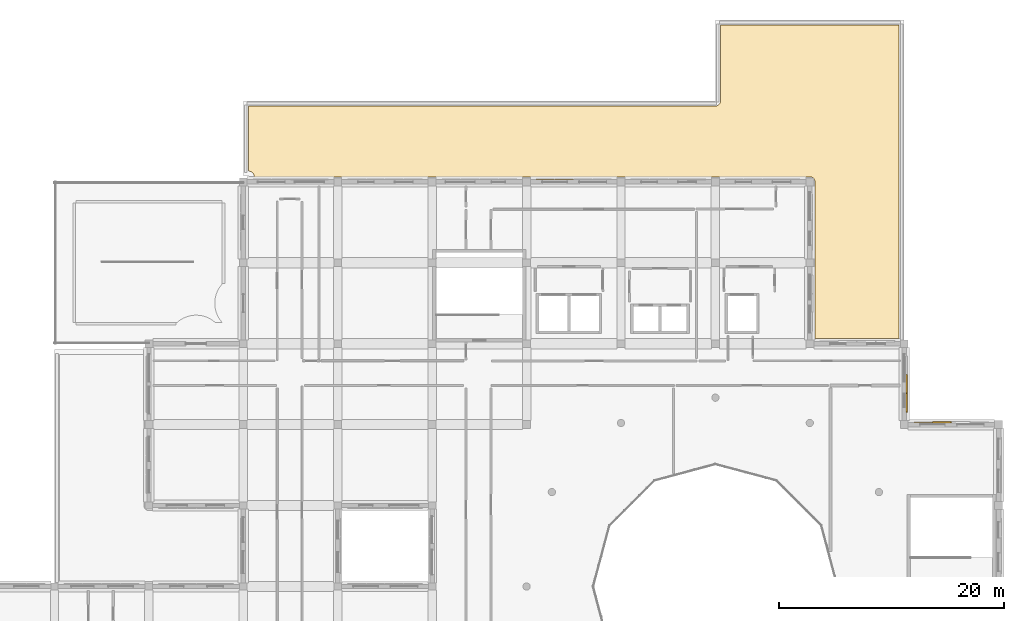
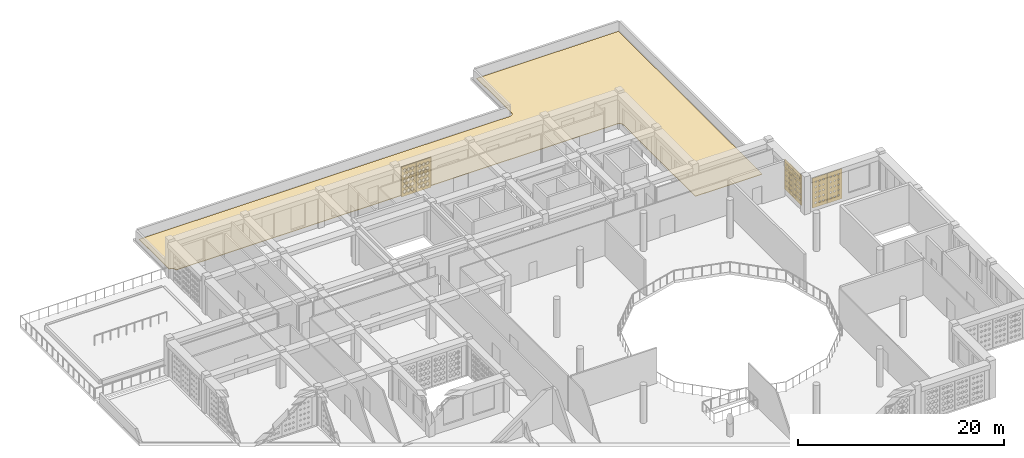
# One storey, part 43 of 47: 7 coverings.
"""IFC4 building model written with IfcOpenShell, lengths in metres."""

from ifc_helpers import new_model, si_unit, derived_unit, direction, frame, origin, place, context, subcontext, project, spatial, polyline, outline, extrude, material, layer, layer_set, type_object, element, save


model = new_model("IFC4")

# Units and contexts
model_context = context("Model", 3, precision=1e-05, world=origin(), true_north=direction((0.0, 1.0)))
body_context = subcontext(model_context, "Body", "Model", "MODEL_VIEW")
ifc_project = project(units=[si_unit("LENGTHUNIT", "METRE"), si_unit("AREAUNIT", "SQUARE_METRE"), si_unit("VOLUMEUNIT", "CUBIC_METRE"), si_unit("PLANEANGLEUNIT", "RADIAN"), si_unit("MASSUNIT", "GRAM", prefix="KILO"), derived_unit("THERMALTRANSMITTANCEUNIT", [(si_unit("POWERUNIT", "WATT"), 1), (si_unit("LENGTHUNIT", "METRE"), -2), (si_unit("THERMODYNAMICTEMPERATUREUNIT", "KELVIN"), -1)])], contexts=[model_context])

# Site, building, storey
site_placement = place(None, origin())
site = spatial("IfcSite", under=ifc_project, at=site_placement, CompositionType="ELEMENT")
building_placement = place(site_placement, origin())
building = spatial("IfcBuilding", under=site, at=building_placement, Name="Veybourne Emporium", CompositionType="ELEMENT")
storey_placement = place(building_placement, frame((0.0, 0.0, 23.39990234375)))
storey = spatial("IfcBuildingStorey", under=building, at=storey_placement, Name="L05", CompositionType="ELEMENT", Elevation=23.39990234375)

# Coverings
ifc_material_1 = material(Name="Single-Ply Warm Roof Membrane", Category="membrane")
ifc_layer_1 = layer(ifc_material_1, 0.06005859375)
ifc_layer_set_1 = layer_set([ifc_layer_1], Name="Single-Ply Warm Roof Membrane")
covering_type_1 = type_object("IfcCoveringType", Name="Roofing_RFG-01", PredefinedType="ROOFING", material=ifc_layer_set_1)
covering_1_placement = place(storey_placement, origin())
element("IfcCovering", 1, at=covering_1_placement, inside=storey, type_object=covering_type_1, Name="L05 warm-roof waterproofing membrane 2.1", PredefinedType="ROOFING", context=body_context, shape_type="SweptSolid", body=[
    extrude(outline(polyline([(75.60009765625, 93.14990234375), (75.64404296875, 93.152099609375), (75.687744140625, 93.15869140625), (75.730712890625, 93.16943359375), (75.772216796875, 93.184326171875), (75.81201171875, 93.203125), (75.85009765625, 93.225830078125), (75.885498046875, 93.252197265625), (75.918212890625, 93.28173828125), (75.94775390625, 93.314453125), (75.97412109375, 93.35009765625), (75.996826171875, 93.387939453125), (76.015869140625, 93.427734375), (76.030517578125, 93.469482421875), (76.041259765625, 93.51220703125), (76.0478515625, 93.555908203125), (76.050048828125, 93.60009765625), (76.050048828125, 100.35009765625), (91.949951171875, 100.35009765625), (91.949951171875, 72.449951171875), (84.449951171875, 72.449951171875), (84.449951171875, 86.39990234375), (84.44775390625, 86.444091796875), (84.44140625, 86.48779296875), (84.4306640625, 86.530517578125), (84.415771484375, 86.572265625), (84.39697265625, 86.612060546875), (84.374267578125, 86.64990234375), (84.347900390625, 86.685546875), (84.318115234375, 86.71826171875), (84.285400390625, 86.747802734375), (84.25, 86.774169921875), (84.212158203125, 86.796875), (84.172119140625, 86.815673828125), (84.130615234375, 86.83056640625), (84.087890625, 86.84130859375), (84.044189453125, 86.847900390625), (84.0, 86.85009765625), (34.550048828125, 86.85009765625), (34.550048828125, 86.89990234375), (34.5478515625, 86.944091796875), (34.541259765625, 86.98779296875), (34.530517578125, 87.030517578125), (34.515869140625, 87.072265625), (34.496826171875, 87.112060546875), (34.47412109375, 87.14990234375), (34.44775390625, 87.185546875), (34.418212890625, 87.21826171875), (34.385498046875, 87.247802734375), (34.35009765625, 87.274169921875), (34.31201171875, 87.296875), (34.272216796875, 87.315673828125), (34.230712890625, 87.33056640625), (34.187744140625, 87.34130859375), (34.14404296875, 87.347900390625), (34.10009765625, 87.35009765625), (34.050048828125, 87.35009765625), (34.050048828125, 93.14990234375), (75.60009765625, 93.14990234375)])), origin(), (0.0, 0.0, 1.0), 0.06005859375),
])
ifc_material_2 = material(Name="Warm-White Perforated Aluminium Screen Alloy", Category="aluminium")
ifc_layer_2 = layer(ifc_material_2, 0.06005859375)
ifc_layer_set_2 = layer_set([ifc_layer_2], Name="Warm-White Perforated Aluminium Screen Alloy")
covering_type_2 = type_object("IfcCoveringType", Name="WaveScreen_SCR-01", PredefinedType="CLADDING", material=ifc_layer_set_2)
covering_2_placement = place(storey_placement, frame((92.64794921875, 68.39990234375, 1.830078125), z_axis=(-1.0, 0.0, 0.0), x_axis=(0.0, -1.0, 0.0)))
element("IfcCovering", 2, at=covering_2_placement, inside=storey, type_object=covering_type_2, Name="L05 wave-perforated aluminium screen SCR-01 (49.2)", PredefinedType="CLADDING", context=body_context, shape_type="SweptSolid", body=[
    extrude(outline(polyline([(-0.81982421875, -1.77001953125), (0.81982421875, -1.77001953125), (0.81982421875, 1.77001953125), (-0.81982421875, 1.77001953125), (-0.81982421875, -1.77001953125)]), holes=[polyline([(-0.433349609375, -1.125), (-0.3291015625, -1.198486328125), (-0.3291015625, -1.281494140625), (-0.433349609375, -1.35498046875), (-0.537353515625, -1.281494140625), (-0.537353515625, -1.198486328125), (-0.433349609375, -1.125)]), polyline([(-0.433349609375, -0.5087890625), (-0.332275390625, -0.579833984375), (-0.332275390625, -0.66015625), (-0.433349609375, -0.731201171875), (-0.534423828125, -0.66015625), (-0.534423828125, -0.579833984375), (-0.433349609375, -0.5087890625)]), polyline([(-0.433349609375, 0.110107421875), (-0.333251953125, 0.03955078125), (-0.333251953125, -0.03955078125), (-0.433349609375, -0.110107421875), (-0.533203125, -0.03955078125), (-0.533203125, 0.03955078125), (-0.433349609375, 0.110107421875)]), polyline([(-0.433349609375, 0.731201171875), (-0.332275390625, 0.659912109375), (-0.332275390625, 0.580078125), (-0.433349609375, 0.5087890625), (-0.5341796875, 0.580078125), (-0.5341796875, 0.659912109375), (-0.433349609375, 0.731201171875)]), polyline([(-0.433349609375, 1.354736328125), (-0.329345703125, 1.28125), (-0.329345703125, 1.19873046875), (-0.433349609375, 1.125244140625), (-0.537353515625, 1.19873046875), (-0.537353515625, 1.28125), (-0.433349609375, 1.354736328125)]), polyline([(0.0, -1.12255859375), (0.106201171875, -1.19775390625), (0.106201171875, -1.2822265625), (0.0, -1.357421875), (-0.106201171875, -1.2822265625), (-0.106201171875, -1.19775390625), (0.0, -1.12255859375)]), polyline([(0.0, -0.50732421875), (0.102294921875, -0.579345703125), (0.102294921875, -0.66064453125), (0.0, -0.732666015625), (-0.102294921875, -0.66064453125), (-0.102294921875, -0.579345703125), (0.0, -0.50732421875)]), polyline([(0.0, 0.1103515625), (0.10009765625, 0.039794921875), (0.10009765625, -0.039794921875), (0.0, -0.1103515625), (-0.10009765625, -0.039794921875), (-0.10009765625, 0.039794921875), (0.0, 0.1103515625)]), polyline([(0.0, 0.73046875), (0.100341796875, 0.65966796875), (0.100341796875, 0.580322265625), (0.0, 0.509521484375), (-0.100341796875, 0.580322265625), (-0.100341796875, 0.65966796875), (0.0, 0.73046875)]), polyline([(0.0, 1.352783203125), (0.102294921875, 1.280517578125), (0.102294921875, 1.199462890625), (0.0, 1.127197265625), (-0.102294921875, 1.199462890625), (-0.102294921875, 1.280517578125), (0.0, 1.352783203125)]), polyline([(0.433349609375, -1.11962890625), (0.541748046875, -1.19677734375), (0.541748046875, -1.283203125), (0.433349609375, -1.3603515625), (0.324951171875, -1.283203125), (0.324951171875, -1.19677734375), (0.433349609375, -1.11962890625)]), polyline([(0.433349609375, -0.505615234375), (0.537109375, -0.578857421875), (0.537109375, -0.6611328125), (0.433349609375, -0.734619140625), (0.32958984375, -0.6611328125), (0.32958984375, -0.578857421875), (0.433349609375, -0.505615234375)]), polyline([(0.433349609375, 0.111083984375), (0.5341796875, 0.0400390625), (0.5341796875, -0.0400390625), (0.433349609375, -0.111083984375), (0.33251953125, -0.0400390625), (0.33251953125, 0.0400390625), (0.433349609375, 0.111083984375)]), polyline([(0.433349609375, 0.72998046875), (0.533203125, 0.65966796875), (0.533203125, 0.580322265625), (0.433349609375, 0.510009765625), (0.333251953125, 0.580322265625), (0.333251953125, 0.65966796875), (0.433349609375, 0.72998046875)]), polyline([(0.433349609375, 1.3515625), (0.534423828125, 1.280029296875), (0.534423828125, 1.199951171875), (0.433349609375, 1.12841796875), (0.33203125, 1.199951171875), (0.33203125, 1.280029296875), (0.433349609375, 1.3515625)])]), origin(), (0.0, 0.0, 1.0), 0.06005859375),
])
ifc_layer_3 = layer(ifc_material_2, 0.06005859375)
ifc_layer_set_3 = layer_set([ifc_layer_3], Name="Warm-White Perforated Aluminium Screen Alloy")
covering_type_3 = type_object("IfcCoveringType", Name="WaveScreen_SCR-02", PredefinedType="CLADDING", material=ifc_layer_set_3)
covering_3_placement = place(storey_placement, frame((92.64794921875, 66.719970703125, 1.830078125), z_axis=(-1.0, 0.0, 0.0), x_axis=(0.0, -1.0, 0.0)))
element("IfcCovering", 3, at=covering_3_placement, inside=storey, type_object=covering_type_3, Name="L05 wave-perforated aluminium screen SCR-02 (49.3)", PredefinedType="CLADDING", context=body_context, shape_type="SweptSolid", body=[
    extrude(outline(polyline([(-0.81982421875, -1.77001953125), (0.81982421875, -1.77001953125), (0.81982421875, 1.77001953125), (-0.81982421875, 1.77001953125), (-0.81982421875, -1.77001953125)]), holes=[polyline([(-0.433349609375, -1.113037109375), (-0.319580078125, -1.1943359375), (-0.319580078125, -1.28564453125), (-0.433349609375, -1.366943359375), (-0.547119140625, -1.28564453125), (-0.547119140625, -1.1943359375), (-0.433349609375, -1.113037109375)]), polyline([(-0.433349609375, -0.500732421875), (-0.32568359375, -0.5771484375), (-0.32568359375, -0.662841796875), (-0.433349609375, -0.7392578125), (-0.541015625, -0.662841796875), (-0.541015625, -0.5771484375), (-0.433349609375, -0.500732421875)]), polyline([(-0.433349609375, 0.11376953125), (-0.330078125, 0.041015625), (-0.330078125, -0.041015625), (-0.433349609375, -0.11376953125), (-0.53662109375, -0.041015625), (-0.53662109375, 0.041015625), (-0.433349609375, 0.11376953125)]), polyline([(-0.433349609375, 0.730712890625), (-0.332763671875, 0.659912109375), (-0.332763671875, 0.580078125), (-0.433349609375, 0.50927734375), (-0.533935546875, 0.580078125), (-0.533935546875, 0.659912109375), (-0.433349609375, 0.730712890625)]), polyline([(-0.433349609375, 1.35009765625), (-0.333251953125, 1.279541015625), (-0.333251953125, 1.200439453125), (-0.433349609375, 1.1298828125), (-0.533447265625, 1.200439453125), (-0.533447265625, 1.279541015625), (-0.433349609375, 1.35009765625)]), polyline([(0.0, -1.10888671875), (0.1171875, -1.19287109375), (0.1171875, -1.287109375), (0.0, -1.37109375), (-0.1171875, -1.287109375), (-0.1171875, -1.19287109375), (0.0, -1.10888671875)]), polyline([(0.0, -0.49755859375), (0.110107421875, -0.575927734375), (0.110107421875, -0.6640625), (0.0, -0.742431640625), (-0.110107421875, -0.6640625), (-0.110107421875, -0.575927734375), (0.0, -0.49755859375)]), polyline([(0.0, 0.115966796875), (0.10498046875, 0.041748046875), (0.10498046875, -0.041748046875), (0.0, -0.115966796875), (-0.10498046875, -0.041748046875), (-0.10498046875, 0.041748046875), (0.0, 0.115966796875)]), polyline([(0.0, 0.731689453125), (0.1015625, 0.66015625), (0.1015625, 0.579833984375), (0.0, 0.50830078125), (-0.1015625, 0.579833984375), (-0.1015625, 0.66015625), (0.0, 0.731689453125)]), polyline([(0.0, 1.35009765625), (0.10009765625, 1.279541015625), (0.10009765625, 1.200439453125), (0.0, 1.1298828125), (-0.10009765625, 1.200439453125), (-0.10009765625, 1.279541015625), (0.0, 1.35009765625)]), polyline([(0.433349609375, -1.1044921875), (0.55419921875, -1.191162109375), (0.55419921875, -1.288818359375), (0.433349609375, -1.37548828125), (0.3125, -1.288818359375), (0.3125, -1.191162109375), (0.433349609375, -1.1044921875)]), polyline([(0.433349609375, -0.493896484375), (0.54638671875, -0.57470703125), (0.54638671875, -0.665283203125), (0.433349609375, -0.74609375), (0.3203125, -0.665283203125), (0.3203125, -0.57470703125), (0.433349609375, -0.493896484375)]), polyline([(0.433349609375, 0.11865234375), (0.540283203125, 0.042724609375), (0.540283203125, -0.042724609375), (0.433349609375, -0.11865234375), (0.326416015625, -0.042724609375), (0.326416015625, 0.042724609375), (0.433349609375, 0.11865234375)]), polyline([(0.433349609375, 0.7333984375), (0.5361328125, 0.660888671875), (0.5361328125, 0.5791015625), (0.433349609375, 0.506591796875), (0.33056640625, 0.5791015625), (0.33056640625, 0.660888671875), (0.433349609375, 0.7333984375)]), polyline([(0.433349609375, 1.3505859375), (0.53369140625, 1.27978515625), (0.53369140625, 1.2001953125), (0.433349609375, 1.12939453125), (0.3330078125, 1.2001953125), (0.3330078125, 1.27978515625), (0.433349609375, 1.3505859375)])]), origin(), (0.0, 0.0, 1.0), 0.06005859375),
])
ifc_layer_4 = layer(ifc_material_2, 0.06005859375)
ifc_layer_set_4 = layer_set([ifc_layer_4], Name="Warm-White Perforated Aluminium Screen Alloy")
covering_type_4 = type_object("IfcCoveringType", Name="WaveScreen_SCR-03", PredefinedType="CLADDING", material=ifc_layer_set_4)
covering_4_placement = place(storey_placement, frame((60.47998046875, 86.64794921875, 1.830078125), z_axis=(0.0, -1.0, 0.0), x_axis=(1.0, 0.0, 0.0)))
element("IfcCovering", 4, at=covering_4_placement, inside=storey, type_object=covering_type_4, Name="L05 wave-perforated aluminium screen SCR-03 (40.1)", PredefinedType="CLADDING", context=body_context, shape_type="SweptSolid", body=[
    extrude(outline(polyline([(-0.81982421875, -1.77001953125), (0.81982421875, -1.77001953125), (0.81982421875, 1.77001953125), (-0.81982421875, 1.77001953125), (-0.81982421875, -1.77001953125)]), holes=[polyline([(-0.433349609375, -0.973388671875), (-0.2470703125, -1.14404296875), (-0.2470703125, -1.3359375), (-0.433349609375, -1.506591796875), (-0.61962890625, -1.3359375), (-0.61962890625, -1.14404296875), (-0.433349609375, -0.973388671875)]), polyline([(-0.433349609375, -0.353515625), (-0.2470703125, -0.52392578125), (-0.2470703125, -0.716064453125), (-0.433349609375, -0.88671875), (-0.61962890625, -0.716064453125), (-0.61962890625, -0.52392578125), (-0.433349609375, -0.353515625)]), polyline([(-0.433349609375, 0.265869140625), (-0.2470703125, 0.095703125), (-0.2470703125, -0.095703125), (-0.433349609375, -0.265869140625), (-0.61962890625, -0.095703125), (-0.61962890625, 0.095703125), (-0.433349609375, 0.265869140625)]), polyline([(-0.433349609375, 0.878173828125), (-0.2470703125, 0.712890625), (-0.2470703125, 0.527099609375), (-0.433349609375, 0.36181640625), (-0.61962890625, 0.527099609375), (-0.61962890625, 0.712890625), (-0.433349609375, 0.878173828125)]), polyline([(-0.433349609375, 1.488525390625), (-0.2470703125, 1.32958984375), (-0.2470703125, 1.150390625), (-0.433349609375, 0.991455078125), (-0.61962890625, 1.150390625), (-0.61962890625, 1.32958984375), (-0.433349609375, 1.488525390625)]), polyline([(0.0, -0.973388671875), (0.186279296875, -1.14404296875), (0.186279296875, -1.3359375), (0.0, -1.506591796875), (-0.186279296875, -1.3359375), (-0.186279296875, -1.14404296875), (0.0, -0.973388671875)]), polyline([(0.0, -0.353515625), (0.186279296875, -0.52392578125), (0.186279296875, -0.716064453125), (0.0, -0.88671875), (-0.186279296875, -0.716064453125), (-0.186279296875, -0.52392578125), (0.0, -0.353515625)]), polyline([(0.0, 0.2626953125), (0.186279296875, 0.094482421875), (0.186279296875, -0.094482421875), (0.0, -0.2626953125), (-0.186279296875, -0.094482421875), (-0.186279296875, 0.094482421875), (0.0, 0.2626953125)]), polyline([(0.0, 0.8740234375), (0.186279296875, 0.71142578125), (0.186279296875, 0.528564453125), (0.0, 0.365966796875), (-0.186279296875, 0.528564453125), (-0.186279296875, 0.71142578125), (0.0, 0.8740234375)]), polyline([(0.0, 1.483642578125), (0.186279296875, 1.32763671875), (0.186279296875, 1.15234375), (0.0, 0.996337890625), (-0.186279296875, 1.15234375), (-0.186279296875, 1.32763671875), (0.0, 1.483642578125)]), polyline([(0.433349609375, -0.973388671875), (0.61962890625, -1.14404296875), (0.61962890625, -1.3359375), (0.433349609375, -1.506591796875), (0.2470703125, -1.3359375), (0.2470703125, -1.14404296875), (0.433349609375, -0.973388671875)]), polyline([(0.433349609375, -0.353515625), (0.61962890625, -0.524169921875), (0.61962890625, -0.7158203125), (0.433349609375, -0.886474609375), (0.2470703125, -0.7158203125), (0.2470703125, -0.524169921875), (0.433349609375, -0.353515625)]), polyline([(0.433349609375, 0.259033203125), (0.61962890625, 0.09326171875), (0.61962890625, -0.09326171875), (0.433349609375, -0.259033203125), (0.2470703125, -0.09326171875), (0.2470703125, 0.09326171875), (0.433349609375, 0.259033203125)]), polyline([(0.433349609375, 0.86962890625), (0.61962890625, 0.709716796875), (0.61962890625, 0.5302734375), (0.433349609375, 0.370361328125), (0.2470703125, 0.5302734375), (0.2470703125, 0.709716796875), (0.433349609375, 0.86962890625)]), polyline([(0.433349609375, 1.478515625), (0.61962890625, 1.32568359375), (0.61962890625, 1.154296875), (0.433349609375, 1.001708984375), (0.2470703125, 1.154296875), (0.2470703125, 1.32568359375), (0.433349609375, 1.478515625)])]), origin(), (0.0, 0.0, 1.0), 0.06005859375),
])
covering_5_placement = place(storey_placement, frame((94.080078125, 65.048095703125, 1.830078125), z_axis=(0.0, -1.0, 0.0), x_axis=(1.0, 0.0, 0.0)))
element("IfcCovering", 5, at=covering_5_placement, inside=storey, type_object=covering_type_4, Name="L05 wave-perforated aluminium screen SCR-03 (56.1)", PredefinedType="CLADDING", context=body_context, shape_type="SweptSolid", body=[
    extrude(outline(polyline([(-0.81982421875, -1.77001953125), (0.81982421875, -1.77001953125), (0.81982421875, 1.77001953125), (-0.81982421875, 1.77001953125), (-0.81982421875, -1.77001953125)]), holes=[polyline([(-0.433349609375, -1.101806640625), (-0.310302734375, -1.190185546875), (-0.310302734375, -1.289794921875), (-0.433349609375, -1.378173828125), (-0.556396484375, -1.289794921875), (-0.556396484375, -1.190185546875), (-0.433349609375, -1.101806640625)]), polyline([(-0.433349609375, -0.49169921875), (-0.318359375, -0.57373046875), (-0.318359375, -0.666259765625), (-0.433349609375, -0.748291015625), (-0.54833984375, -0.666259765625), (-0.54833984375, -0.57373046875), (-0.433349609375, -0.49169921875)]), polyline([(-0.433349609375, 0.120361328125), (-0.324951171875, 0.043212890625), (-0.324951171875, -0.043212890625), (-0.433349609375, -0.120361328125), (-0.541748046875, -0.043212890625), (-0.541748046875, 0.043212890625), (-0.433349609375, 0.120361328125)]), polyline([(-0.433349609375, 0.734619140625), (-0.32958984375, 0.6611328125), (-0.32958984375, 0.578857421875), (-0.433349609375, 0.505615234375), (-0.537109375, 0.578857421875), (-0.537109375, 0.6611328125), (-0.433349609375, 0.734619140625)]), polyline([(-0.433349609375, 1.35107421875), (-0.33251953125, 1.280029296875), (-0.33251953125, 1.199951171875), (-0.433349609375, 1.12890625), (-0.5341796875, 1.199951171875), (-0.5341796875, 1.280029296875), (-0.433349609375, 1.35107421875)]), polyline([(0.0, -1.1064453125), (0.119140625, -1.19189453125), (0.119140625, -1.2880859375), (0.0, -1.37353515625), (-0.119140625, -1.2880859375), (-0.119140625, -1.19189453125), (0.0, -1.1064453125)]), polyline([(0.0, -0.49560546875), (0.11181640625, -0.5751953125), (0.11181640625, -0.664794921875), (0.0, -0.744384765625), (-0.11181640625, -0.664794921875), (-0.11181640625, -0.5751953125), (0.0, -0.49560546875)]), polyline([(0.0, 0.117431640625), (0.10595703125, 0.042236328125), (0.10595703125, -0.042236328125), (0.0, -0.117431640625), (-0.10595703125, -0.042236328125), (-0.10595703125, 0.042236328125), (0.0, 0.117431640625)]), polyline([(0.0, 0.732666015625), (0.10205078125, 0.660400390625), (0.10205078125, 0.57958984375), (0.0, 0.50732421875), (-0.10205078125, 0.57958984375), (-0.10205078125, 0.660400390625), (0.0, 0.732666015625)]), polyline([(0.0, 1.350341796875), (0.10009765625, 1.27978515625), (0.10009765625, 1.2001953125), (0.0, 1.129638671875), (-0.10009765625, 1.2001953125), (-0.10009765625, 1.27978515625), (0.0, 1.350341796875)]), polyline([(0.433349609375, -1.11083984375), (0.549072265625, -1.193603515625), (0.549072265625, -1.28662109375), (0.433349609375, -1.369140625), (0.317626953125, -1.28662109375), (0.317626953125, -1.193603515625), (0.433349609375, -1.11083984375)]), polyline([(0.433349609375, -0.4990234375), (0.542236328125, -0.576416015625), (0.542236328125, -0.66357421875), (0.433349609375, -0.740966796875), (0.32421875, -0.66357421875), (0.32421875, -0.576416015625), (0.433349609375, -0.4990234375)]), polyline([(0.433349609375, 0.114990234375), (0.537353515625, 0.04150390625), (0.537353515625, -0.04150390625), (0.433349609375, -0.114990234375), (0.329345703125, -0.04150390625), (0.329345703125, 0.04150390625), (0.433349609375, 0.114990234375)]), polyline([(0.433349609375, 0.731201171875), (0.534423828125, 0.66015625), (0.534423828125, 0.579833984375), (0.433349609375, 0.5087890625), (0.332275390625, 0.579833984375), (0.332275390625, 0.66015625), (0.433349609375, 0.731201171875)]), polyline([(0.433349609375, 1.35009765625), (0.533203125, 1.279541015625), (0.533203125, 1.200439453125), (0.433349609375, 1.1298828125), (0.333251953125, 1.200439453125), (0.333251953125, 1.279541015625), (0.433349609375, 1.35009765625)])]), origin(), (0.0, 0.0, 1.0), 0.06005859375),
])
ifc_layer_5 = layer(ifc_material_2, 0.06005859375)
ifc_layer_set_5 = layer_set([ifc_layer_5], Name="Warm-White Perforated Aluminium Screen Alloy")
covering_type_5 = type_object("IfcCoveringType", Name="WaveScreen_SCR-04", PredefinedType="CLADDING", material=ifc_layer_set_5)
covering_6_placement = place(storey_placement, frame((62.159912109375, 86.64794921875, 1.830078125), z_axis=(0.0, -1.0, 0.0), x_axis=(1.0, 0.0, 0.0)))
element("IfcCovering", 6, at=covering_6_placement, inside=storey, type_object=covering_type_5, Name="L05 wave-perforated aluminium screen SCR-04 (40.2)", PredefinedType="CLADDING", context=body_context, shape_type="SweptSolid", body=[
    extrude(outline(polyline([(-0.81982421875, -1.77001953125), (0.81982421875, -1.77001953125), (0.81982421875, 1.77001953125), (-0.81982421875, 1.77001953125), (-0.81982421875, -1.77001953125)]), holes=[polyline([(-0.433349609375, -0.973388671875), (-0.2470703125, -1.14404296875), (-0.2470703125, -1.3359375), (-0.433349609375, -1.506591796875), (-0.61962890625, -1.3359375), (-0.61962890625, -1.14404296875), (-0.433349609375, -0.973388671875)]), polyline([(-0.433349609375, -0.359619140625), (-0.2470703125, -0.5263671875), (-0.2470703125, -0.713623046875), (-0.433349609375, -0.88037109375), (-0.61962890625, -0.713623046875), (-0.61962890625, -0.5263671875), (-0.433349609375, -0.359619140625)]), polyline([(-0.433349609375, 0.251220703125), (-0.2470703125, 0.09033203125), (-0.2470703125, -0.09033203125), (-0.433349609375, -0.251220703125), (-0.61962890625, -0.09033203125), (-0.61962890625, 0.09033203125), (-0.433349609375, 0.251220703125)]), polyline([(-0.433349609375, 0.8603515625), (-0.2470703125, 0.70654296875), (-0.2470703125, 0.533447265625), (-0.433349609375, 0.379638671875), (-0.61962890625, 0.533447265625), (-0.61962890625, 0.70654296875), (-0.433349609375, 0.8603515625)]), polyline([(-0.433349609375, 1.468017578125), (-0.2470703125, 1.322021484375), (-0.2470703125, 1.157958984375), (-0.433349609375, 1.01220703125), (-0.61962890625, 1.157958984375), (-0.61962890625, 1.322021484375), (-0.433349609375, 1.468017578125)]), polyline([(0.0, -0.9755859375), (0.186279296875, -1.144775390625), (0.186279296875, -1.335205078125), (0.0, -1.50439453125), (-0.186279296875, -1.335205078125), (-0.186279296875, -1.144775390625), (0.0, -0.9755859375)]), polyline([(0.0, -0.363525390625), (0.186279296875, -0.527587890625), (0.186279296875, -0.71240234375), (0.0, -0.87646484375), (-0.186279296875, -0.71240234375), (-0.186279296875, -0.527587890625), (0.0, -0.363525390625)]), polyline([(0.0, 0.24658203125), (0.186279296875, 0.088623046875), (0.186279296875, -0.088623046875), (0.0, -0.24658203125), (-0.186279296875, -0.088623046875), (-0.186279296875, 0.088623046875), (0.0, 0.24658203125)]), polyline([(0.0, 0.85498046875), (0.186279296875, 0.70458984375), (0.186279296875, 0.535400390625), (0.0, 0.385009765625), (-0.186279296875, 0.535400390625), (-0.186279296875, 0.70458984375), (0.0, 0.85498046875)]), polyline([(0.0, 1.4619140625), (0.186279296875, 1.31982421875), (0.186279296875, 1.16015625), (0.0, 1.01806640625), (-0.186279296875, 1.16015625), (-0.186279296875, 1.31982421875), (0.0, 1.4619140625)]), polyline([(0.433349609375, -0.97900390625), (0.61962890625, -1.14599609375), (0.61962890625, -1.333984375), (0.433349609375, -1.501220703125), (0.2470703125, -1.333984375), (0.2470703125, -1.14599609375), (0.433349609375, -0.97900390625)]), polyline([(0.433349609375, -0.367919921875), (0.61962890625, -0.529296875), (0.61962890625, -0.710693359375), (0.433349609375, -0.872314453125), (0.2470703125, -0.710693359375), (0.2470703125, -0.529296875), (0.433349609375, -0.367919921875)]), polyline([(0.433349609375, 0.241455078125), (0.61962890625, 0.0869140625), (0.61962890625, -0.0869140625), (0.433349609375, -0.241455078125), (0.2470703125, -0.0869140625), (0.2470703125, 0.0869140625), (0.433349609375, 0.241455078125)]), polyline([(0.433349609375, 0.84912109375), (0.61962890625, 0.702392578125), (0.61962890625, 0.53759765625), (0.433349609375, 0.390869140625), (0.2470703125, 0.53759765625), (0.2470703125, 0.702392578125), (0.433349609375, 0.84912109375)]), polyline([(0.433349609375, 1.455810546875), (0.61962890625, 1.317626953125), (0.61962890625, 1.162353515625), (0.433349609375, 1.024169921875), (0.2470703125, 1.162353515625), (0.2470703125, 1.317626953125), (0.433349609375, 1.455810546875)])]), origin(), (0.0, 0.0, 1.0), 0.06005859375),
])
covering_7_placement = place(storey_placement, frame((95.760009765625, 65.048095703125, 1.830078125), z_axis=(0.0, -1.0, 0.0), x_axis=(1.0, 0.0, 0.0)))
element("IfcCovering", 7, at=covering_7_placement, inside=storey, type_object=covering_type_5, Name="L05 wave-perforated aluminium screen SCR-04 (56.2)", PredefinedType="CLADDING", context=body_context, shape_type="SweptSolid", body=[
    extrude(outline(polyline([(-0.81982421875, -1.77001953125), (0.81982421875, -1.77001953125), (0.81982421875, 1.77001953125), (-0.81982421875, 1.77001953125), (-0.81982421875, -1.77001953125)]), holes=[polyline([(-0.433349609375, -1.117919921875), (-0.323486328125, -1.196044921875), (-0.323486328125, -1.283935546875), (-0.433349609375, -1.362060546875), (-0.543212890625, -1.283935546875), (-0.543212890625, -1.196044921875), (-0.433349609375, -1.117919921875)]), polyline([(-0.433349609375, -0.50439453125), (-0.32861328125, -0.578369140625), (-0.32861328125, -0.66162109375), (-0.433349609375, -0.735595703125), (-0.5380859375, -0.66162109375), (-0.5380859375, -0.578369140625), (-0.433349609375, -0.50439453125)]), polyline([(-0.433349609375, 0.11181640625), (-0.33203125, 0.040283203125), (-0.33203125, -0.040283203125), (-0.433349609375, -0.11181640625), (-0.53466796875, -0.040283203125), (-0.53466796875, 0.040283203125), (-0.433349609375, 0.11181640625)]), polyline([(-0.433349609375, 0.72998046875), (-0.333251953125, 0.65966796875), (-0.333251953125, 0.580322265625), (-0.433349609375, 0.510009765625), (-0.533447265625, 0.580322265625), (-0.533447265625, 0.65966796875), (-0.433349609375, 0.72998046875)]), polyline([(-0.433349609375, 1.350830078125), (-0.33251953125, 1.27978515625), (-0.33251953125, 1.2001953125), (-0.433349609375, 1.129150390625), (-0.533935546875, 1.2001953125), (-0.533935546875, 1.27978515625), (-0.433349609375, 1.350830078125)]), polyline([(0.0, -1.12109375), (0.107421875, -1.197265625), (0.107421875, -1.28271484375), (0.0, -1.35888671875), (-0.107421875, -1.28271484375), (-0.107421875, -1.197265625), (0.0, -1.12109375)]), polyline([(0.0, -0.50634765625), (0.10302734375, -0.5791015625), (0.10302734375, -0.660888671875), (0.0, -0.733642578125), (-0.10302734375, -0.660888671875), (-0.10302734375, -0.5791015625), (0.0, -0.50634765625)]), polyline([(0.0, 0.110595703125), (0.1005859375, 0.039794921875), (0.1005859375, -0.039794921875), (0.0, -0.110595703125), (-0.1005859375, -0.039794921875), (-0.1005859375, 0.039794921875), (0.0, 0.110595703125)]), polyline([(0.0, 0.72998046875), (0.10009765625, 0.65966796875), (0.10009765625, 0.580322265625), (0.0, 0.510009765625), (-0.10009765625, 0.580322265625), (-0.10009765625, 0.65966796875), (0.0, 0.72998046875)]), polyline([(0.0, 1.35205078125), (0.101806640625, 1.2802734375), (0.101806640625, 1.19970703125), (0.0, 1.1279296875), (-0.101806640625, 1.19970703125), (-0.101806640625, 1.2802734375), (0.0, 1.35205078125)]), polyline([(0.433349609375, -1.123779296875), (0.53857421875, -1.197998046875), (0.53857421875, -1.281982421875), (0.433349609375, -1.356201171875), (0.328125, -1.281982421875), (0.328125, -1.197998046875), (0.433349609375, -1.123779296875)]), polyline([(0.433349609375, -0.508056640625), (0.534912109375, -0.57958984375), (0.534912109375, -0.660400390625), (0.433349609375, -0.73193359375), (0.331787109375, -0.660400390625), (0.331787109375, -0.57958984375), (0.433349609375, -0.508056640625)]), polyline([(0.433349609375, 0.110107421875), (0.533447265625, 0.03955078125), (0.533447265625, -0.03955078125), (0.433349609375, -0.110107421875), (0.333251953125, -0.03955078125), (0.333251953125, 0.03955078125), (0.433349609375, 0.110107421875)]), polyline([(0.433349609375, 0.730712890625), (0.533935546875, 0.659912109375), (0.533935546875, 0.580078125), (0.433349609375, 0.50927734375), (0.332763671875, 0.580078125), (0.332763671875, 0.659912109375), (0.433349609375, 0.730712890625)]), polyline([(0.433349609375, 1.353759765625), (0.536376953125, 1.281005859375), (0.536376953125, 1.19921875), (0.433349609375, 1.126220703125), (0.330322265625, 1.19921875), (0.330322265625, 1.281005859375), (0.433349609375, 1.353759765625)])]), origin(), (0.0, 0.0, 1.0), 0.06005859375),
])

save(model, "model.ifc")
